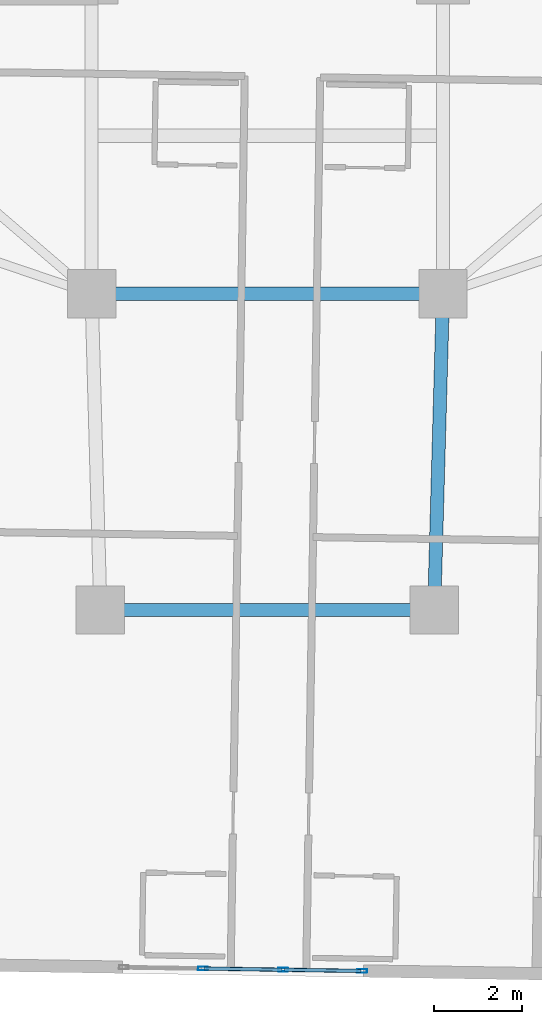
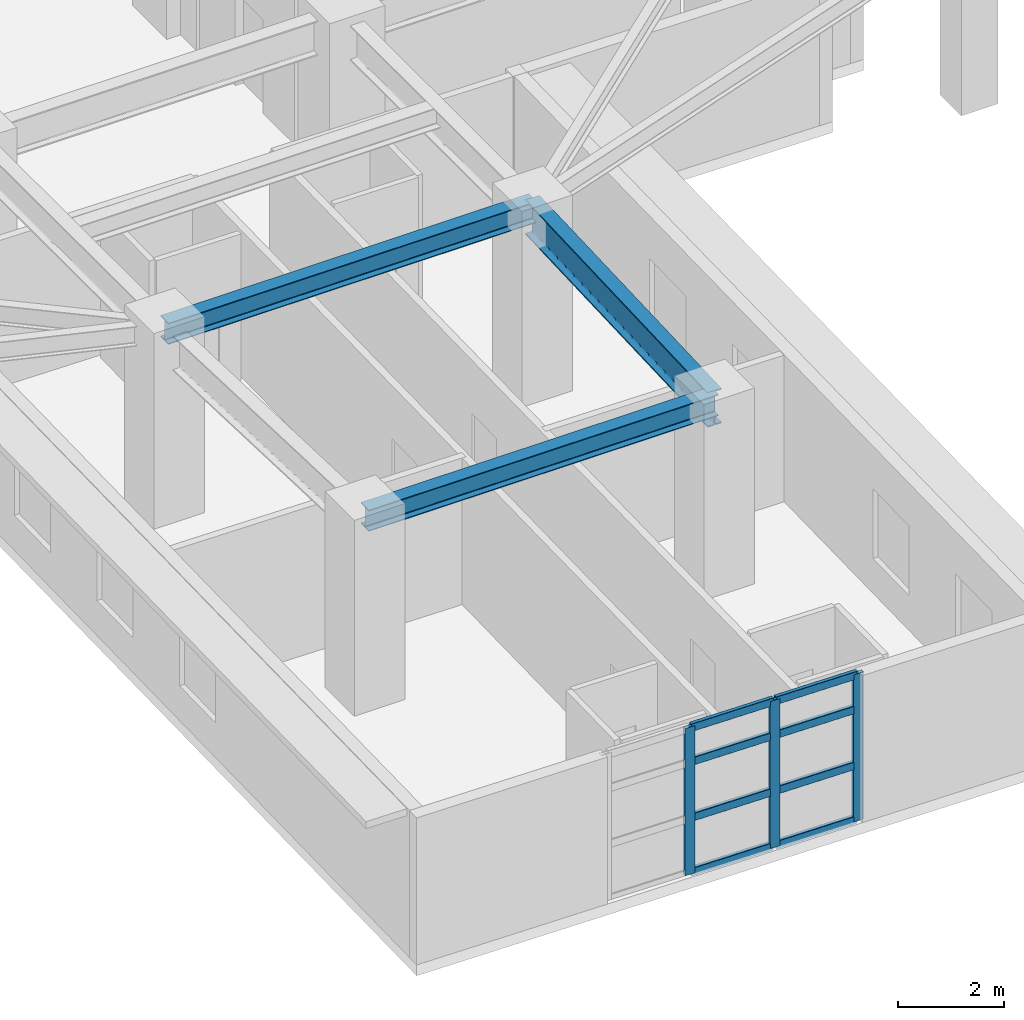
# One storey, part 4 of 22: 11 members, 3 beams, 1 element without a shape of its own.
"""IFC4 building model written with IfcOpenShell, lengths in metres."""

from ifc_helpers import new_model, si_unit, direction, frame, origin, origin_2d, place, context, subcontext, project, spatial, hollow_rectangle, i_section, extrude, material, layer, layer_set, material_profile, profile_set, type_object, element, aggregate, save


model = new_model("IFC4")

# Units and contexts
model_context = context("Model", 3, precision=1e-05, world=origin(), true_north=direction((0.0, 1.0)))
body_context = subcontext(model_context, "Body", "Model", "MODEL_VIEW")
ifc_project = project(units=[si_unit("LENGTHUNIT", "METRE"), si_unit("AREAUNIT", "SQUARE_METRE"), si_unit("VOLUMEUNIT", "CUBIC_METRE"), si_unit("PLANEANGLEUNIT", "RADIAN"), si_unit("MASSUNIT", "GRAM", prefix="KILO")], contexts=[model_context])

# Site, building, storey
site_placement = place(None, origin())
site = spatial("IfcSite", under=ifc_project, at=site_placement, CompositionType="ELEMENT")
building_placement = place(site_placement, origin())
building = spatial("IfcBuilding", under=site, at=building_placement, Name="Qingluan Cross Belvedere", CompositionType="ELEMENT")
storey_placement = place(building_placement, frame((0.0, 0.0, 100.199951171875)))
storey = spatial("IfcBuildingStorey", under=building, at=storey_placement, Name="L25", CompositionType="ELEMENT", Elevation=100.199951171875)

# Curtain wall, members
ifc_material_1 = material(Name="Thermally broken aluminium and Low-E glass", Category="aluminium")
ifc_layer = layer(ifc_material_1, 0.199951171875, Name="UnitisedCW_SkyLobbyLow")
ifc_layer_set = layer_set([ifc_layer], Name="Thermally broken aluminium and Low-E glass")
curtain_wall_type = type_object("IfcCurtainWallType", Name="UnitisedCW_SkyLobbyLow", PredefinedType="USERDEFINED", material=ifc_layer_set)
curtain_wall_placement = place(storey_placement, origin())
curtain_wall = element("IfcCurtainWall", 1, at=curtain_wall_placement, inside=storey, type_object=curtain_wall_type, Name="UnitisedCW_SkyLobbyLow run env:cw:L25:S", ObjectType="UNITISED CURTAIN WALL", PredefinedType="USERDEFINED")
ifc_material_2 = material(Name="Aluminium alloy 6063-T6", Category="aluminium")
ifc_material_profile_1 = material_profile(ifc_material_2, hollow_rectangle(XDim=0.0849609375, YDim=0.219970703125, WallThickness=0.0048828125, InnerFilletRadius=0.0048828125, OuterFilletRadius=0.010009765625, at=origin_2d()), Name="CWM220x85x5")
ifc_profile_set_1 = profile_set([ifc_material_profile_1], Name="Aluminium alloy 6063-T6")
member_type_1 = type_object("IfcMemberType", Name="CWMullion_220", PredefinedType="MULLION", material=ifc_profile_set_1)
member_1_placement = place(storey_placement, frame((-1.467041015625, -35.161376953125, 0.0), z_axis=(0.0, 0.0, 1.0), x_axis=(0.015707062874, 0.999876636479, 0.0)))
member_1 = element("IfcMember", 2, at=member_1_placement, type_object=member_type_1, Name="CW-S1 mullion 2", PredefinedType="MULLION", context=body_context, shape_type="SweptSolid", body=[
    extrude(hollow_rectangle(XDim=0.0849609375, YDim=0.219970703125, WallThickness=0.0048828125, InnerFilletRadius=0.0048828125, OuterFilletRadius=0.010009765625, at=origin_2d()), origin(), (0.0, 0.0, 1.0), 3.380126953125),
])
member_2_placement = place(storey_placement, frame((0.362060546875, -35.190185546875, 0.0), z_axis=(0.0, 0.0, 1.0), x_axis=(0.015707062874, 0.999876636479, 0.0)))
member_2 = element("IfcMember", 3, at=member_2_placement, type_object=member_type_1, Name="CW-S1 mullion 3", PredefinedType="MULLION", context=body_context, shape_type="SweptSolid", body=[
    extrude(hollow_rectangle(XDim=0.0849609375, YDim=0.219970703125, WallThickness=0.0048828125, InnerFilletRadius=0.0048828125, OuterFilletRadius=0.010009765625, at=origin_2d()), origin(), (0.0, 0.0, 1.0), 3.380126953125),
])
member_3_placement = place(storey_placement, frame((2.1611328125, -35.21826171875, 0.0), z_axis=(0.0, 0.0, 1.0), x_axis=(0.015707062874, 0.999876636479, 0.0)))
member_3 = element("IfcMember", 4, at=member_3_placement, type_object=member_type_1, Name="CW-S1 mullion 4", PredefinedType="MULLION", context=body_context, shape_type="SweptSolid", body=[
    extrude(hollow_rectangle(XDim=0.0849609375, YDim=0.219970703125, WallThickness=0.0048828125, InnerFilletRadius=0.0048828125, OuterFilletRadius=0.010009765625, at=origin_2d()), origin(), (0.0, 0.0, 1.0), 3.380126953125),
])
ifc_material_3 = material(Name="Aluminium alloy 6063-T6", Category="aluminium")
ifc_material_profile_2 = material_profile(ifc_material_3, hollow_rectangle(XDim=0.0849609375, YDim=0.179931640625, WallThickness=0.00390625, InnerFilletRadius=0.00390625, OuterFilletRadius=0.008056640625, at=origin_2d()), Name="CWT180x85x4")
ifc_profile_set_2 = profile_set([ifc_material_profile_2], Name="Aluminium alloy 6063-T6")
member_type_2 = type_object("IfcMemberType", Name="CWTransom_180", PredefinedType="USERDEFINED", material=ifc_profile_set_2)
member_4_placement = place(storey_placement, frame((-1.43701171875, -35.161865234375, 0.030029296875), z_axis=(0.999876262188, -0.015730871362, 0.0), x_axis=(0.015730871362, 0.999876262188, 0.0)))
member_4 = element("IfcMember", 5, at=member_4_placement, type_object=member_type_2, Name="CW-S1 transom 2.1", ObjectType="TRANSOM", PredefinedType="USERDEFINED", context=body_context, shape_type="SweptSolid", body=[
    extrude(hollow_rectangle(XDim=0.0849609375, YDim=0.179931640625, WallThickness=0.00390625, InnerFilletRadius=0.00390625, OuterFilletRadius=0.008056640625, at=origin_2d()), origin(), (0.0, 0.0, 1.0), 1.769287109375),
])
member_5_placement = place(storey_placement, frame((-1.43701171875, -35.161865234375, 1.283935546875), z_axis=(0.999876262188, -0.015730871362, 0.0), x_axis=(0.015730871362, 0.999876262188, 0.0)))
member_5 = element("IfcMember", 6, at=member_5_placement, type_object=member_type_2, Name="CW-S1 transom 2.2", ObjectType="TRANSOM", PredefinedType="USERDEFINED", context=body_context, shape_type="SweptSolid", body=[
    extrude(hollow_rectangle(XDim=0.0849609375, YDim=0.179931640625, WallThickness=0.00390625, InnerFilletRadius=0.00390625, OuterFilletRadius=0.008056640625, at=origin_2d()), origin(), (0.0, 0.0, 1.0), 1.769287109375),
])
member_6_placement = place(storey_placement, frame((-1.43701171875, -35.161865234375, 2.569091796875), z_axis=(0.999876262188, -0.015730871362, 0.0), x_axis=(0.015730871362, 0.999876262188, 0.0)))
member_6 = element("IfcMember", 7, at=member_6_placement, type_object=member_type_2, Name="CW-S1 transom 2.3", ObjectType="TRANSOM", PredefinedType="USERDEFINED", context=body_context, shape_type="SweptSolid", body=[
    extrude(hollow_rectangle(XDim=0.0849609375, YDim=0.179931640625, WallThickness=0.00390625, InnerFilletRadius=0.00390625, OuterFilletRadius=0.008056640625, at=origin_2d()), origin(), (0.0, 0.0, 1.0), 1.769287109375),
])
member_7_placement = place(storey_placement, frame((-1.43701171875, -35.161865234375, 3.35009765625), z_axis=(0.999876262188, -0.015730871362, 0.0), x_axis=(0.015730871362, 0.999876262188, 0.0)))
member_7 = element("IfcMember", 8, at=member_7_placement, type_object=member_type_2, Name="CW-S1 transom 2.4", ObjectType="TRANSOM", PredefinedType="USERDEFINED", context=body_context, shape_type="SweptSolid", body=[
    extrude(hollow_rectangle(XDim=0.0849609375, YDim=0.179931640625, WallThickness=0.00390625, InnerFilletRadius=0.00390625, OuterFilletRadius=0.008056640625, at=origin_2d()), origin(), (0.0, 0.0, 1.0), 1.769287109375),
])
member_8_placement = place(storey_placement, frame((0.39208984375, -35.1904296875, 0.030029296875), z_axis=(0.999876405359, -0.015721768553, 0.0), x_axis=(0.015721768553, 0.999876405359, 0.0)))
member_8 = element("IfcMember", 9, at=member_8_placement, type_object=member_type_2, Name="CW-S1 transom 3.1", ObjectType="TRANSOM", PredefinedType="USERDEFINED", context=body_context, shape_type="SweptSolid", body=[
    extrude(hollow_rectangle(XDim=0.0849609375, YDim=0.179931640625, WallThickness=0.00390625, InnerFilletRadius=0.00390625, OuterFilletRadius=0.008056640625, at=origin_2d()), origin(), (0.0, 0.0, 1.0), 1.7392578125),
])
member_9_placement = place(storey_placement, frame((0.39208984375, -35.1904296875, 1.283935546875), z_axis=(0.999876405359, -0.015721768553, 0.0), x_axis=(0.015721768553, 0.999876405359, 0.0)))
member_9 = element("IfcMember", 10, at=member_9_placement, type_object=member_type_2, Name="CW-S1 transom 3.2", ObjectType="TRANSOM", PredefinedType="USERDEFINED", context=body_context, shape_type="SweptSolid", body=[
    extrude(hollow_rectangle(XDim=0.0849609375, YDim=0.179931640625, WallThickness=0.00390625, InnerFilletRadius=0.00390625, OuterFilletRadius=0.008056640625, at=origin_2d()), origin(), (0.0, 0.0, 1.0), 1.7392578125),
])
member_10_placement = place(storey_placement, frame((0.39208984375, -35.1904296875, 2.569091796875), z_axis=(0.999876405359, -0.015721768553, 0.0), x_axis=(0.015721768553, 0.999876405359, 0.0)))
member_10 = element("IfcMember", 11, at=member_10_placement, type_object=member_type_2, Name="CW-S1 transom 3.3", ObjectType="TRANSOM", PredefinedType="USERDEFINED", context=body_context, shape_type="SweptSolid", body=[
    extrude(hollow_rectangle(XDim=0.0849609375, YDim=0.179931640625, WallThickness=0.00390625, InnerFilletRadius=0.00390625, OuterFilletRadius=0.008056640625, at=origin_2d()), origin(), (0.0, 0.0, 1.0), 1.7392578125),
])
member_11_placement = place(storey_placement, frame((0.39208984375, -35.1904296875, 3.35009765625), z_axis=(0.999876405359, -0.015721768553, 0.0), x_axis=(0.015721768553, 0.999876405359, 0.0)))
member_11 = element("IfcMember", 12, at=member_11_placement, type_object=member_type_2, Name="CW-S1 transom 3.4", ObjectType="TRANSOM", PredefinedType="USERDEFINED", context=body_context, shape_type="SweptSolid", body=[
    extrude(hollow_rectangle(XDim=0.0849609375, YDim=0.179931640625, WallThickness=0.00390625, InnerFilletRadius=0.00390625, OuterFilletRadius=0.008056640625, at=origin_2d()), origin(), (0.0, 0.0, 1.0), 1.7392578125),
])
aggregate(curtain_wall, [member_1, member_2, member_3, member_4, member_5, member_6, member_7, member_8, member_9, member_10, member_11])

# Beams
ifc_material_4 = material(Name="Steel Q420GJB", Category="steel")
ifc_material_profile_3 = material_profile(ifc_material_4, i_section(OverallWidth=0.300048828125, OverallDepth=0.488037109375, WebThickness=0.010986328125, FlangeThickness=0.01806640625, FilletRadius=0.02197265625, at=origin_2d()), Name="HM488x300x11x18")
ifc_profile_set_3 = profile_set([ifc_material_profile_3], Name="Steel Q420GJB")
beam_type_1 = type_object("IfcBeamType", Name="Steel_Beam_HM488x300x11x18", PredefinedType="BEAM", material=ifc_profile_set_3)
beam_1_placement = place(storey_placement, frame((-4.0, -19.800048828125, 4.05615234375), z_axis=(1.0, 0.0, 0.0), x_axis=(0.0, 1.0, 0.0)))
element("IfcBeam", 13, at=beam_1_placement, inside=storey, type_object=beam_type_1, Name="Arm S tie L25", PredefinedType="BEAM", context=body_context, shape_type="SweptSolid", body=[
    extrude(i_section(OverallWidth=0.300048828125, OverallDepth=0.488037109375, WebThickness=0.010986328125, FlangeThickness=0.01806640625, FilletRadius=0.02197265625, at=origin_2d()), origin(), (0.0, 0.0, 1.0), 8.0),
])
beam_2_placement = place(storey_placement, frame((-3.800048828125, -27.0, 4.05615234375), z_axis=(1.0, 0.0, 0.0), x_axis=(0.0, 1.0, 0.0)))
element("IfcBeam", 14, at=beam_2_placement, inside=storey, type_object=beam_type_1, Name="Arm S tip transverse beam L25", PredefinedType="BEAM", context=body_context, shape_type="SweptSolid", body=[
    extrude(i_section(OverallWidth=0.300048828125, OverallDepth=0.488037109375, WebThickness=0.010986328125, FlangeThickness=0.01806640625, FilletRadius=0.02197265625, at=origin_2d()), origin(), (0.0, 0.0, 1.0), 7.60009765625),
])
ifc_material_5 = material(Name="Steel Q420GJB", Category="steel")
ifc_material_profile_4 = material_profile(ifc_material_5, i_section(OverallWidth=0.300048828125, OverallDepth=0.800048828125, WebThickness=0.015380859375, FlangeThickness=0.028076171875, FilletRadius=0.030029296875, at=origin_2d()), Name="HEB800")
ifc_profile_set_4 = profile_set([ifc_material_profile_4], Name="Steel Q420GJB")
beam_type_2 = type_object("IfcBeamType", Name="Steel_Girder_HEB800", PredefinedType="USERDEFINED", material=ifc_profile_set_4)
beam_3_placement = place(storey_placement, frame((4.0, -19.800048828125, 3.900146484375), z_axis=(-0.027760481514, -0.999614603568, 0.0), x_axis=(0.999614603568, -0.027760481514, 0.0)))
element("IfcBeam", 15, at=beam_3_placement, inside=storey, type_object=beam_type_2, Name="Arm S outer radial girder B L25", ObjectType="GIRDER", PredefinedType="USERDEFINED", context=body_context, shape_type="SweptSolid", body=[
    extrude(i_section(OverallWidth=0.300048828125, OverallDepth=0.800048828125, WebThickness=0.015380859375, FlangeThickness=0.028076171875, FilletRadius=0.030029296875, at=origin_2d()), origin(), (0.0, 0.0, 1.0), 7.20263671875),
])

save(model, "model.ifc")
